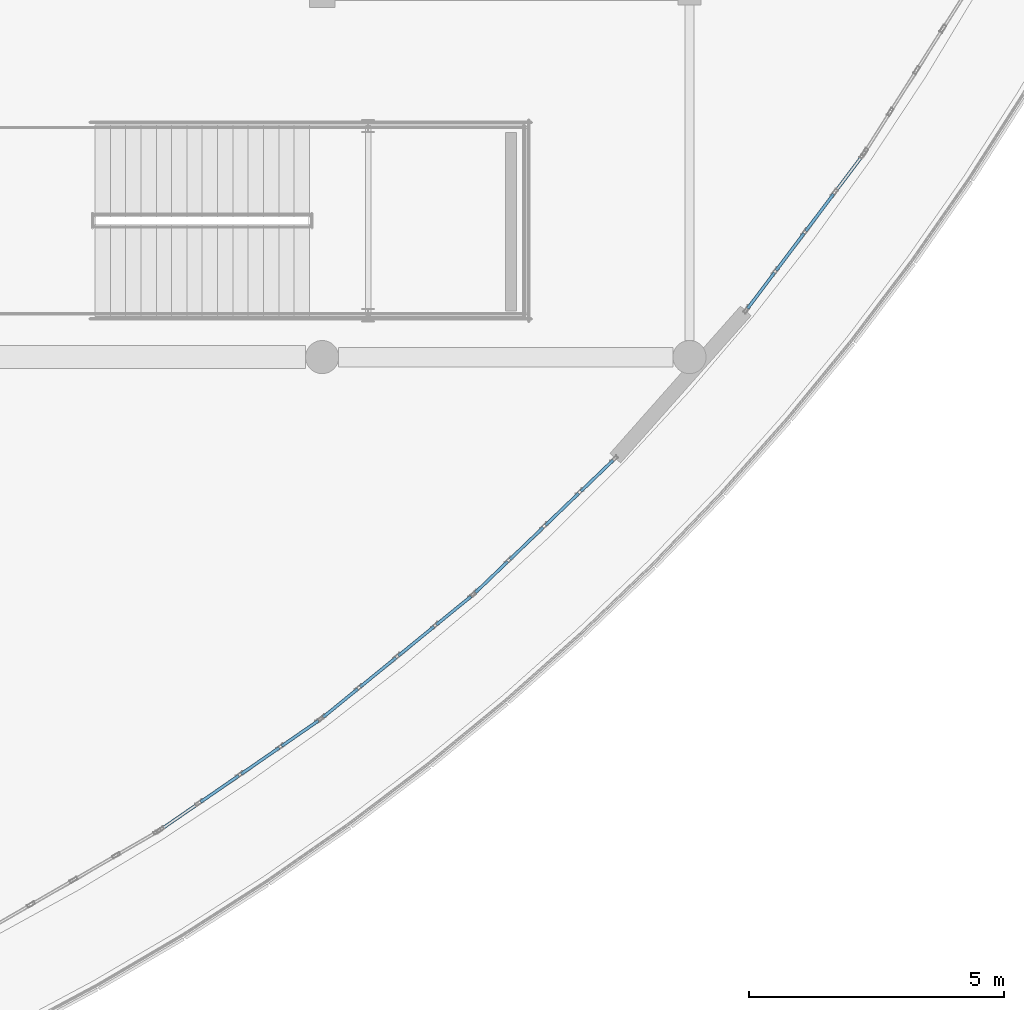
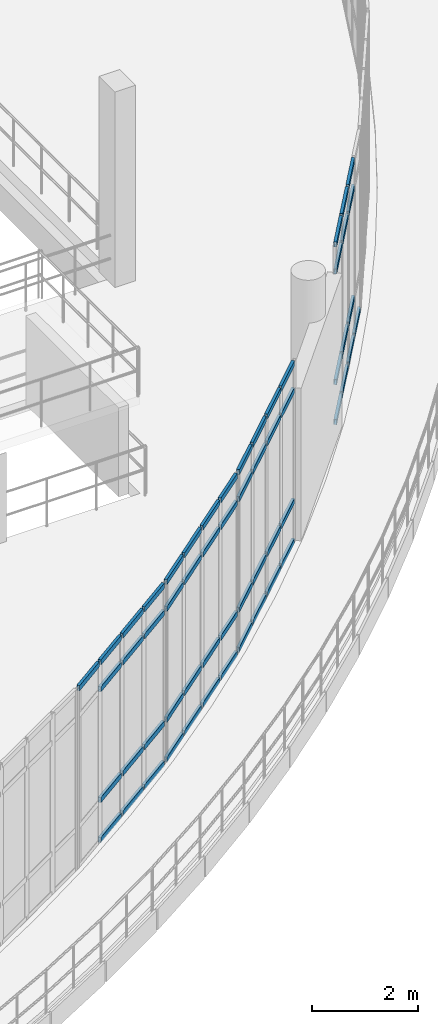
# One storey, part 84 of 124: 58 members, 4 elements without a shape of their own.
"""IFC4 building model written with IfcOpenShell, lengths in metres."""

from ifc_helpers import new_model, si_unit, direction, frame, origin, origin_2d, place, context, subcontext, project, spatial, hollow_rectangle, extrude, material, material_profile, profile_set, type_object, element, aggregate, save


model = new_model("IFC4")

# Units and contexts
model_context = context("Model", 3, precision=1e-05, world=origin(), true_north=direction((0.0, 1.0)))
body_context = subcontext(model_context, "Body", "Model", "MODEL_VIEW")
ifc_project = project(units=[si_unit("LENGTHUNIT", "METRE"), si_unit("AREAUNIT", "SQUARE_METRE"), si_unit("VOLUMEUNIT", "CUBIC_METRE"), si_unit("PLANEANGLEUNIT", "RADIAN"), si_unit("MASSUNIT", "GRAM", prefix="KILO")], contexts=[model_context])

# Site, building, storey
site_placement = place(None, origin())
site = spatial("IfcSite", under=ifc_project, at=site_placement, CompositionType="ELEMENT")
building_placement = place(site_placement, origin())
building = spatial("IfcBuilding", under=site, at=building_placement, Name="Kalluvel Institute of Natural Sciences", CompositionType="ELEMENT")
storey_placement = place(building_placement, frame((0.0, 0.0, 9.89990234375)))
storey = spatial("IfcBuildingStorey", under=building, at=storey_placement, Name="L02", CompositionType="ELEMENT", Elevation=9.89990234375)

# Curtain wall, members
ifc_material = material(Name="Aluminium AW-6063 T6", Category="aluminium")
curtain_wall_type = type_object("IfcCurtainWallType", Name="CW-ATR-ARC", PredefinedType="USERDEFINED", material=ifc_material)
curtain_wall_1_placement = place(storey_placement, origin())
curtain_wall_1 = element("IfcCurtainWall", 1, at=curtain_wall_1_placement, inside=storey, type_object=curtain_wall_type, Name="L02 Gothic lancet curtain wall CWA-L02-X612-Y623", ObjectType="UNITISED LANCET FACADE", PredefinedType="USERDEFINED")
ifc_material_profile = material_profile(ifc_material, hollow_rectangle(XDim=0.06005859375, YDim=0.1201171875, WallThickness=0.00390625, at=origin_2d()), Name="CWT 60x120")
ifc_profile_set = profile_set([ifc_material_profile], Name="Aluminium AW-6063 T6")
member_type = type_object("IfcMemberType", Name="CWT-60x120", PredefinedType="USERDEFINED", material=ifc_profile_set)
member_1_placement = place(storey_placement, frame((61.250244140625, 62.349365234375, 4.1201171875), z_axis=(0.822965264865, 0.56809169403, 0.0), x_axis=(-0.56809169403, 0.822965264865, 0.0)))
member_1 = element("IfcMember", 2, at=member_1_placement, type_object=member_type, Name="CW-05 transom 1.4", ObjectType="TRANSOM", PredefinedType="USERDEFINED", context=body_context, shape_type="SweptSolid", body=[
    extrude(hollow_rectangle(XDim=0.06005859375, YDim=0.1201171875, WallThickness=0.00390625, at=origin_2d()), origin(), (0.0, 0.0, 1.0), 0.87451171875),
])
member_2_placement = place(storey_placement, frame((62.019287109375, 62.88037109375, 0.030029296875), z_axis=(0.823056139811, 0.567960025635, 0.0), x_axis=(-0.567960025635, 0.823056139811, 0.0)))
member_2 = element("IfcMember", 3, at=member_2_placement, type_object=member_type, Name="CW-05 transom 2.1", ObjectType="TRANSOM", PredefinedType="USERDEFINED", context=body_context, shape_type="SweptSolid", body=[
    extrude(hollow_rectangle(XDim=0.06005859375, YDim=0.1201171875, WallThickness=0.00390625, at=origin_2d()), origin(), (0.0, 0.0, 1.0), 0.904296875),
])
member_3_placement = place(storey_placement, frame((62.019287109375, 62.88037109375, 0.9501953125), z_axis=(0.823056139811, 0.567960025635, 0.0), x_axis=(-0.567960025635, 0.823056139811, 0.0)))
member_3 = element("IfcMember", 4, at=member_3_placement, type_object=member_type, Name="CW-05 transom 2.2", ObjectType="TRANSOM", PredefinedType="USERDEFINED", context=body_context, shape_type="SweptSolid", body=[
    extrude(hollow_rectangle(XDim=0.06005859375, YDim=0.1201171875, WallThickness=0.00390625, at=origin_2d()), origin(), (0.0, 0.0, 1.0), 0.904296875),
])
member_4_placement = place(storey_placement, frame((62.019287109375, 62.88037109375, 3.5), z_axis=(0.823056139811, 0.567960025635, 0.0), x_axis=(-0.567960025635, 0.823056139811, 0.0)))
member_4 = element("IfcMember", 5, at=member_4_placement, type_object=member_type, Name="CW-05 transom 2.3", ObjectType="TRANSOM", PredefinedType="USERDEFINED", context=body_context, shape_type="SweptSolid", body=[
    extrude(hollow_rectangle(XDim=0.06005859375, YDim=0.1201171875, WallThickness=0.00390625, at=origin_2d()), origin(), (0.0, 0.0, 1.0), 0.904296875),
])
member_5_placement = place(storey_placement, frame((62.019287109375, 62.88037109375, 4.1201171875), z_axis=(0.823056139811, 0.567960025635, 0.0), x_axis=(-0.567960025635, 0.823056139811, 0.0)))
member_5 = element("IfcMember", 6, at=member_5_placement, type_object=member_type, Name="CW-05 transom 2.4", ObjectType="TRANSOM", PredefinedType="USERDEFINED", context=body_context, shape_type="SweptSolid", body=[
    extrude(hollow_rectangle(XDim=0.06005859375, YDim=0.1201171875, WallThickness=0.00390625, at=origin_2d()), origin(), (0.0, 0.0, 1.0), 0.904296875),
])
member_6_placement = place(storey_placement, frame((62.81298828125, 63.427978515625, 0.030029296875), z_axis=(0.822842800931, 0.568269060354, 0.0), x_axis=(-0.568269060354, 0.822842800931, 0.0)))
member_6 = element("IfcMember", 7, at=member_6_placement, type_object=member_type, Name="CW-05 transom 3.1", ObjectType="TRANSOM", PredefinedType="USERDEFINED", context=body_context, shape_type="SweptSolid", body=[
    extrude(hollow_rectangle(XDim=0.06005859375, YDim=0.1201171875, WallThickness=0.00390625, at=origin_2d()), origin(), (0.0, 0.0, 1.0), 0.904296875),
])
member_7_placement = place(storey_placement, frame((62.81298828125, 63.427978515625, 0.9501953125), z_axis=(0.822842800931, 0.568269060354, 0.0), x_axis=(-0.568269060354, 0.822842800931, 0.0)))
member_7 = element("IfcMember", 8, at=member_7_placement, type_object=member_type, Name="CW-05 transom 3.2", ObjectType="TRANSOM", PredefinedType="USERDEFINED", context=body_context, shape_type="SweptSolid", body=[
    extrude(hollow_rectangle(XDim=0.06005859375, YDim=0.1201171875, WallThickness=0.00390625, at=origin_2d()), origin(), (0.0, 0.0, 1.0), 0.904296875),
])
member_8_placement = place(storey_placement, frame((62.81298828125, 63.427978515625, 3.5), z_axis=(0.822842800931, 0.568269060354, 0.0), x_axis=(-0.568269060354, 0.822842800931, 0.0)))
member_8 = element("IfcMember", 9, at=member_8_placement, type_object=member_type, Name="CW-05 transom 3.3", ObjectType="TRANSOM", PredefinedType="USERDEFINED", context=body_context, shape_type="SweptSolid", body=[
    extrude(hollow_rectangle(XDim=0.06005859375, YDim=0.1201171875, WallThickness=0.00390625, at=origin_2d()), origin(), (0.0, 0.0, 1.0), 0.904296875),
])
member_9_placement = place(storey_placement, frame((62.81298828125, 63.427978515625, 4.1201171875), z_axis=(0.822842800931, 0.568269060354, 0.0), x_axis=(-0.568269060354, 0.822842800931, 0.0)))
member_9 = element("IfcMember", 10, at=member_9_placement, type_object=member_type, Name="CW-05 transom 3.4", ObjectType="TRANSOM", PredefinedType="USERDEFINED", context=body_context, shape_type="SweptSolid", body=[
    extrude(hollow_rectangle(XDim=0.06005859375, YDim=0.1201171875, WallThickness=0.00390625, at=origin_2d()), origin(), (0.0, 0.0, 1.0), 0.904296875),
])
member_10_placement = place(storey_placement, frame((63.606689453125, 63.975830078125, 0.030029296875), z_axis=(0.822875140839, 0.568222229932, 0.0), x_axis=(-0.568222229932, 0.822875140839, 0.0)))
member_10 = element("IfcMember", 11, at=member_10_placement, type_object=member_type, Name="CW-05 transom 4.1", ObjectType="TRANSOM", PredefinedType="USERDEFINED", context=body_context, shape_type="SweptSolid", body=[
    extrude(hollow_rectangle(XDim=0.06005859375, YDim=0.1201171875, WallThickness=0.00390625, at=origin_2d()), origin(), (0.0, 0.0, 1.0), 0.874267578125),
])
member_11_placement = place(storey_placement, frame((63.606689453125, 63.975830078125, 0.9501953125), z_axis=(0.822875140839, 0.568222229932, 0.0), x_axis=(-0.568222229932, 0.822875140839, 0.0)))
member_11 = element("IfcMember", 12, at=member_11_placement, type_object=member_type, Name="CW-05 transom 4.2", ObjectType="TRANSOM", PredefinedType="USERDEFINED", context=body_context, shape_type="SweptSolid", body=[
    extrude(hollow_rectangle(XDim=0.06005859375, YDim=0.1201171875, WallThickness=0.00390625, at=origin_2d()), origin(), (0.0, 0.0, 1.0), 0.874267578125),
])
member_12_placement = place(storey_placement, frame((63.606689453125, 63.975830078125, 3.5), z_axis=(0.822875140839, 0.568222229932, 0.0), x_axis=(-0.568222229932, 0.822875140839, 0.0)))
member_12 = element("IfcMember", 13, at=member_12_placement, type_object=member_type, Name="CW-05 transom 4.3", ObjectType="TRANSOM", PredefinedType="USERDEFINED", context=body_context, shape_type="SweptSolid", body=[
    extrude(hollow_rectangle(XDim=0.06005859375, YDim=0.1201171875, WallThickness=0.00390625, at=origin_2d()), origin(), (0.0, 0.0, 1.0), 0.874267578125),
])
member_13_placement = place(storey_placement, frame((63.606689453125, 63.975830078125, 4.1201171875), z_axis=(0.822875140839, 0.568222229932, 0.0), x_axis=(-0.568222229932, 0.822875140839, 0.0)))
member_13 = element("IfcMember", 14, at=member_13_placement, type_object=member_type, Name="CW-05 transom 4.4", ObjectType="TRANSOM", PredefinedType="USERDEFINED", context=body_context, shape_type="SweptSolid", body=[
    extrude(hollow_rectangle(XDim=0.06005859375, YDim=0.1201171875, WallThickness=0.00390625, at=origin_2d()), origin(), (0.0, 0.0, 1.0), 0.874267578125),
])
aggregate(curtain_wall_1, [member_1, member_2, member_3, member_4, member_5, member_6, member_7, member_8, member_9, member_10, member_11, member_12, member_13])

curtain_wall_2_placement = place(storey_placement, origin())
curtain_wall_2 = element("IfcCurtainWall", 15, at=curtain_wall_2_placement, inside=storey, type_object=curtain_wall_type, Name="L02 Gothic lancet curtain wall CWA-L02-X644-Y645", ObjectType="UNITISED LANCET FACADE", PredefinedType="USERDEFINED")
member_14_placement = place(storey_placement, frame((64.422119140625, 64.544677734375, 0.030029296875), z_axis=(0.774591404707, 0.63246197969, 0.0), x_axis=(-0.63246197969, 0.774591404707, 0.0)))
member_14 = element("IfcMember", 16, at=member_14_placement, type_object=member_type, Name="CW-05 transom 1.1", ObjectType="TRANSOM", PredefinedType="USERDEFINED", context=body_context, shape_type="SweptSolid", body=[
    extrude(hollow_rectangle(XDim=0.06005859375, YDim=0.1201171875, WallThickness=0.00390625, at=origin_2d()), origin(), (0.0, 0.0, 1.0), 0.874267578125),
])
member_15_placement = place(storey_placement, frame((64.422119140625, 64.544677734375, 0.9501953125), z_axis=(0.774591404707, 0.63246197969, 0.0), x_axis=(-0.63246197969, 0.774591404707, 0.0)))
member_15 = element("IfcMember", 17, at=member_15_placement, type_object=member_type, Name="CW-05 transom 1.2", ObjectType="TRANSOM", PredefinedType="USERDEFINED", context=body_context, shape_type="SweptSolid", body=[
    extrude(hollow_rectangle(XDim=0.06005859375, YDim=0.1201171875, WallThickness=0.00390625, at=origin_2d()), origin(), (0.0, 0.0, 1.0), 0.874267578125),
])
member_16_placement = place(storey_placement, frame((64.422119140625, 64.544677734375, 3.5), z_axis=(0.774591404707, 0.63246197969, 0.0), x_axis=(-0.63246197969, 0.774591404707, 0.0)))
member_16 = element("IfcMember", 18, at=member_16_placement, type_object=member_type, Name="CW-05 transom 1.3", ObjectType="TRANSOM", PredefinedType="USERDEFINED", context=body_context, shape_type="SweptSolid", body=[
    extrude(hollow_rectangle(XDim=0.06005859375, YDim=0.1201171875, WallThickness=0.00390625, at=origin_2d()), origin(), (0.0, 0.0, 1.0), 0.874267578125),
])
member_17_placement = place(storey_placement, frame((64.422119140625, 64.544677734375, 4.1201171875), z_axis=(0.774591404707, 0.63246197969, 0.0), x_axis=(-0.63246197969, 0.774591404707, 0.0)))
member_17 = element("IfcMember", 19, at=member_17_placement, type_object=member_type, Name="CW-05 transom 1.4", ObjectType="TRANSOM", PredefinedType="USERDEFINED", context=body_context, shape_type="SweptSolid", body=[
    extrude(hollow_rectangle(XDim=0.06005859375, YDim=0.1201171875, WallThickness=0.00390625, at=origin_2d()), origin(), (0.0, 0.0, 1.0), 0.874267578125),
])
member_18_placement = place(storey_placement, frame((65.145751953125, 65.135498046875, 0.030029296875), z_axis=(0.774642310804, 0.632399628646, 0.0), x_axis=(-0.632399628646, 0.774642310804, 0.0)))
member_18 = element("IfcMember", 20, at=member_18_placement, type_object=member_type, Name="CW-05 transom 2.1", ObjectType="TRANSOM", PredefinedType="USERDEFINED", context=body_context, shape_type="SweptSolid", body=[
    extrude(hollow_rectangle(XDim=0.06005859375, YDim=0.1201171875, WallThickness=0.00390625, at=origin_2d()), origin(), (0.0, 0.0, 1.0), 0.904541015625),
])
member_19_placement = place(storey_placement, frame((65.145751953125, 65.135498046875, 0.9501953125), z_axis=(0.774642310804, 0.632399628646, 0.0), x_axis=(-0.632399628646, 0.774642310804, 0.0)))
member_19 = element("IfcMember", 21, at=member_19_placement, type_object=member_type, Name="CW-05 transom 2.2", ObjectType="TRANSOM", PredefinedType="USERDEFINED", context=body_context, shape_type="SweptSolid", body=[
    extrude(hollow_rectangle(XDim=0.06005859375, YDim=0.1201171875, WallThickness=0.00390625, at=origin_2d()), origin(), (0.0, 0.0, 1.0), 0.904541015625),
])
member_20_placement = place(storey_placement, frame((65.145751953125, 65.135498046875, 3.5), z_axis=(0.774642310804, 0.632399628646, 0.0), x_axis=(-0.632399628646, 0.774642310804, 0.0)))
member_20 = element("IfcMember", 22, at=member_20_placement, type_object=member_type, Name="CW-05 transom 2.3", ObjectType="TRANSOM", PredefinedType="USERDEFINED", context=body_context, shape_type="SweptSolid", body=[
    extrude(hollow_rectangle(XDim=0.06005859375, YDim=0.1201171875, WallThickness=0.00390625, at=origin_2d()), origin(), (0.0, 0.0, 1.0), 0.904541015625),
])
member_21_placement = place(storey_placement, frame((65.145751953125, 65.135498046875, 4.1201171875), z_axis=(0.774642310804, 0.632399628646, 0.0), x_axis=(-0.632399628646, 0.774642310804, 0.0)))
member_21 = element("IfcMember", 23, at=member_21_placement, type_object=member_type, Name="CW-05 transom 2.4", ObjectType="TRANSOM", PredefinedType="USERDEFINED", context=body_context, shape_type="SweptSolid", body=[
    extrude(hollow_rectangle(XDim=0.06005859375, YDim=0.1201171875, WallThickness=0.00390625, at=origin_2d()), origin(), (0.0, 0.0, 1.0), 0.904541015625),
])
member_22_placement = place(storey_placement, frame((65.892822265625, 65.745361328125, 0.030029296875), z_axis=(0.774534331942, 0.632531871642, 0.0), x_axis=(-0.632531871642, 0.774534331942, 0.0)))
member_22 = element("IfcMember", 24, at=member_22_placement, type_object=member_type, Name="CW-05 transom 3.1", ObjectType="TRANSOM", PredefinedType="USERDEFINED", context=body_context, shape_type="SweptSolid", body=[
    extrude(hollow_rectangle(XDim=0.06005859375, YDim=0.1201171875, WallThickness=0.00390625, at=origin_2d()), origin(), (0.0, 0.0, 1.0), 0.904296875),
])
member_23_placement = place(storey_placement, frame((65.892822265625, 65.745361328125, 0.9501953125), z_axis=(0.774534331942, 0.632531871642, 0.0), x_axis=(-0.632531871642, 0.774534331942, 0.0)))
member_23 = element("IfcMember", 25, at=member_23_placement, type_object=member_type, Name="CW-05 transom 3.2", ObjectType="TRANSOM", PredefinedType="USERDEFINED", context=body_context, shape_type="SweptSolid", body=[
    extrude(hollow_rectangle(XDim=0.06005859375, YDim=0.1201171875, WallThickness=0.00390625, at=origin_2d()), origin(), (0.0, 0.0, 1.0), 0.904296875),
])
member_24_placement = place(storey_placement, frame((65.892822265625, 65.745361328125, 3.5), z_axis=(0.774534331942, 0.632531871642, 0.0), x_axis=(-0.632531871642, 0.774534331942, 0.0)))
member_24 = element("IfcMember", 26, at=member_24_placement, type_object=member_type, Name="CW-05 transom 3.3", ObjectType="TRANSOM", PredefinedType="USERDEFINED", context=body_context, shape_type="SweptSolid", body=[
    extrude(hollow_rectangle(XDim=0.06005859375, YDim=0.1201171875, WallThickness=0.00390625, at=origin_2d()), origin(), (0.0, 0.0, 1.0), 0.904296875),
])
member_25_placement = place(storey_placement, frame((65.892822265625, 65.745361328125, 4.1201171875), z_axis=(0.774534331942, 0.632531871642, 0.0), x_axis=(-0.632531871642, 0.774534331942, 0.0)))
member_25 = element("IfcMember", 27, at=member_25_placement, type_object=member_type, Name="CW-05 transom 3.4", ObjectType="TRANSOM", PredefinedType="USERDEFINED", context=body_context, shape_type="SweptSolid", body=[
    extrude(hollow_rectangle(XDim=0.06005859375, YDim=0.1201171875, WallThickness=0.00390625, at=origin_2d()), origin(), (0.0, 0.0, 1.0), 0.904296875),
])
member_26_placement = place(storey_placement, frame((66.639892578125, 66.35546875, 0.030029296875), z_axis=(0.774591404707, 0.63246197969, 0.0), x_axis=(-0.63246197969, 0.774591404707, 0.0)))
member_26 = element("IfcMember", 28, at=member_26_placement, type_object=member_type, Name="CW-05 transom 4.1", ObjectType="TRANSOM", PredefinedType="USERDEFINED", context=body_context, shape_type="SweptSolid", body=[
    extrude(hollow_rectangle(XDim=0.06005859375, YDim=0.1201171875, WallThickness=0.00390625, at=origin_2d()), origin(), (0.0, 0.0, 1.0), 0.874267578125),
])
member_27_placement = place(storey_placement, frame((66.639892578125, 66.35546875, 0.9501953125), z_axis=(0.774591404707, 0.63246197969, 0.0), x_axis=(-0.63246197969, 0.774591404707, 0.0)))
member_27 = element("IfcMember", 29, at=member_27_placement, type_object=member_type, Name="CW-05 transom 4.2", ObjectType="TRANSOM", PredefinedType="USERDEFINED", context=body_context, shape_type="SweptSolid", body=[
    extrude(hollow_rectangle(XDim=0.06005859375, YDim=0.1201171875, WallThickness=0.00390625, at=origin_2d()), origin(), (0.0, 0.0, 1.0), 0.874267578125),
])
member_28_placement = place(storey_placement, frame((66.639892578125, 66.35546875, 3.5), z_axis=(0.774591404707, 0.63246197969, 0.0), x_axis=(-0.63246197969, 0.774591404707, 0.0)))
member_28 = element("IfcMember", 30, at=member_28_placement, type_object=member_type, Name="CW-05 transom 4.3", ObjectType="TRANSOM", PredefinedType="USERDEFINED", context=body_context, shape_type="SweptSolid", body=[
    extrude(hollow_rectangle(XDim=0.06005859375, YDim=0.1201171875, WallThickness=0.00390625, at=origin_2d()), origin(), (0.0, 0.0, 1.0), 0.874267578125),
])
member_29_placement = place(storey_placement, frame((66.639892578125, 66.35546875, 4.1201171875), z_axis=(0.774591404707, 0.63246197969, 0.0), x_axis=(-0.63246197969, 0.774591404707, 0.0)))
member_29 = element("IfcMember", 31, at=member_29_placement, type_object=member_type, Name="CW-05 transom 4.4", ObjectType="TRANSOM", PredefinedType="USERDEFINED", context=body_context, shape_type="SweptSolid", body=[
    extrude(hollow_rectangle(XDim=0.06005859375, YDim=0.1201171875, WallThickness=0.00390625, at=origin_2d()), origin(), (0.0, 0.0, 1.0), 0.874267578125),
])
aggregate(curtain_wall_2, [member_14, member_15, member_16, member_17, member_18, member_19, member_20, member_21, member_22, member_23, member_24, member_25, member_26, member_27, member_28, member_29])

curtain_wall_3_placement = place(storey_placement, origin())
curtain_wall_3 = element("IfcCurtainWall", 32, at=curtain_wall_3_placement, inside=storey, type_object=curtain_wall_type, Name="L02 Gothic lancet curtain wall CWA-L02-X674-Y669", ObjectType="UNITISED LANCET FACADE", PredefinedType="USERDEFINED")
member_30_placement = place(storey_placement, frame((67.406982421875, 66.98779296875, 0.030029296875), z_axis=(0.721069144861, 0.692863109373, 0.0), x_axis=(-0.692863109373, 0.721069144861, 0.0)))
member_30 = element("IfcMember", 33, at=member_30_placement, type_object=member_type, Name="CW-05 transom 1.1", ObjectType="TRANSOM", PredefinedType="USERDEFINED", context=body_context, shape_type="SweptSolid", body=[
    extrude(hollow_rectangle(XDim=0.06005859375, YDim=0.1201171875, WallThickness=0.00390625, at=origin_2d()), origin(), (0.0, 0.0, 1.0), 0.874267578125),
])
member_31_placement = place(storey_placement, frame((67.406982421875, 66.98779296875, 0.9501953125), z_axis=(0.721069144861, 0.692863109373, 0.0), x_axis=(-0.692863109373, 0.721069144861, 0.0)))
member_31 = element("IfcMember", 34, at=member_31_placement, type_object=member_type, Name="CW-05 transom 1.2", ObjectType="TRANSOM", PredefinedType="USERDEFINED", context=body_context, shape_type="SweptSolid", body=[
    extrude(hollow_rectangle(XDim=0.06005859375, YDim=0.1201171875, WallThickness=0.00390625, at=origin_2d()), origin(), (0.0, 0.0, 1.0), 0.874267578125),
])
member_32_placement = place(storey_placement, frame((67.406982421875, 66.98779296875, 3.5), z_axis=(0.721069144861, 0.692863109373, 0.0), x_axis=(-0.692863109373, 0.721069144861, 0.0)))
member_32 = element("IfcMember", 35, at=member_32_placement, type_object=member_type, Name="CW-05 transom 1.3", ObjectType="TRANSOM", PredefinedType="USERDEFINED", context=body_context, shape_type="SweptSolid", body=[
    extrude(hollow_rectangle(XDim=0.06005859375, YDim=0.1201171875, WallThickness=0.00390625, at=origin_2d()), origin(), (0.0, 0.0, 1.0), 0.874267578125),
])
member_33_placement = place(storey_placement, frame((67.406982421875, 66.98779296875, 4.1201171875), z_axis=(0.721069144861, 0.692863109373, 0.0), x_axis=(-0.692863109373, 0.721069144861, 0.0)))
member_33 = element("IfcMember", 36, at=member_33_placement, type_object=member_type, Name="CW-05 transom 1.4", ObjectType="TRANSOM", PredefinedType="USERDEFINED", context=body_context, shape_type="SweptSolid", body=[
    extrude(hollow_rectangle(XDim=0.06005859375, YDim=0.1201171875, WallThickness=0.00390625, at=origin_2d()), origin(), (0.0, 0.0, 1.0), 0.874267578125),
])
member_34_placement = place(storey_placement, frame((68.080810546875, 67.63525390625, 0.030029296875), z_axis=(0.721139092172, 0.692790307193, 0.0), x_axis=(-0.692790307193, 0.721139092172, 0.0)))
member_34 = element("IfcMember", 37, at=member_34_placement, type_object=member_type, Name="CW-05 transom 2.1", ObjectType="TRANSOM", PredefinedType="USERDEFINED", context=body_context, shape_type="SweptSolid", body=[
    extrude(hollow_rectangle(XDim=0.06005859375, YDim=0.1201171875, WallThickness=0.00390625, at=origin_2d()), origin(), (0.0, 0.0, 1.0), 0.904296875),
])
member_35_placement = place(storey_placement, frame((68.080810546875, 67.63525390625, 0.9501953125), z_axis=(0.721139092172, 0.692790307193, 0.0), x_axis=(-0.692790307193, 0.721139092172, 0.0)))
member_35 = element("IfcMember", 38, at=member_35_placement, type_object=member_type, Name="CW-05 transom 2.2", ObjectType="TRANSOM", PredefinedType="USERDEFINED", context=body_context, shape_type="SweptSolid", body=[
    extrude(hollow_rectangle(XDim=0.06005859375, YDim=0.1201171875, WallThickness=0.00390625, at=origin_2d()), origin(), (0.0, 0.0, 1.0), 0.904296875),
])
member_36_placement = place(storey_placement, frame((68.080810546875, 67.63525390625, 3.5), z_axis=(0.721139092172, 0.692790307193, 0.0), x_axis=(-0.692790307193, 0.721139092172, 0.0)))
member_36 = element("IfcMember", 39, at=member_36_placement, type_object=member_type, Name="CW-05 transom 2.3", ObjectType="TRANSOM", PredefinedType="USERDEFINED", context=body_context, shape_type="SweptSolid", body=[
    extrude(hollow_rectangle(XDim=0.06005859375, YDim=0.1201171875, WallThickness=0.00390625, at=origin_2d()), origin(), (0.0, 0.0, 1.0), 0.904296875),
])
member_37_placement = place(storey_placement, frame((68.080810546875, 67.63525390625, 4.1201171875), z_axis=(0.721139092172, 0.692790307193, 0.0), x_axis=(-0.692790307193, 0.721139092172, 0.0)))
member_37 = element("IfcMember", 40, at=member_37_placement, type_object=member_type, Name="CW-05 transom 2.4", ObjectType="TRANSOM", PredefinedType="USERDEFINED", context=body_context, shape_type="SweptSolid", body=[
    extrude(hollow_rectangle(XDim=0.06005859375, YDim=0.1201171875, WallThickness=0.00390625, at=origin_2d()), origin(), (0.0, 0.0, 1.0), 0.904296875),
])
member_38_placement = place(storey_placement, frame((68.776123046875, 68.30322265625, 0.030029296875), z_axis=(0.721268637552, 0.692655435613, 0.0), x_axis=(-0.692655435613, 0.721268637552, 0.0)))
member_38 = element("IfcMember", 41, at=member_38_placement, type_object=member_type, Name="CW-05 transom 3.1", ObjectType="TRANSOM", PredefinedType="USERDEFINED", context=body_context, shape_type="SweptSolid", body=[
    extrude(hollow_rectangle(XDim=0.06005859375, YDim=0.1201171875, WallThickness=0.00390625, at=origin_2d()), origin(), (0.0, 0.0, 1.0), 0.904541015625),
])
member_39_placement = place(storey_placement, frame((68.776123046875, 68.30322265625, 0.9501953125), z_axis=(0.721268637552, 0.692655435613, 0.0), x_axis=(-0.692655435613, 0.721268637552, 0.0)))
member_39 = element("IfcMember", 42, at=member_39_placement, type_object=member_type, Name="CW-05 transom 3.2", ObjectType="TRANSOM", PredefinedType="USERDEFINED", context=body_context, shape_type="SweptSolid", body=[
    extrude(hollow_rectangle(XDim=0.06005859375, YDim=0.1201171875, WallThickness=0.00390625, at=origin_2d()), origin(), (0.0, 0.0, 1.0), 0.904541015625),
])
member_40_placement = place(storey_placement, frame((68.776123046875, 68.30322265625, 3.5), z_axis=(0.721268637552, 0.692655435613, 0.0), x_axis=(-0.692655435613, 0.721268637552, 0.0)))
member_40 = element("IfcMember", 43, at=member_40_placement, type_object=member_type, Name="CW-05 transom 3.3", ObjectType="TRANSOM", PredefinedType="USERDEFINED", context=body_context, shape_type="SweptSolid", body=[
    extrude(hollow_rectangle(XDim=0.06005859375, YDim=0.1201171875, WallThickness=0.00390625, at=origin_2d()), origin(), (0.0, 0.0, 1.0), 0.904541015625),
])
member_41_placement = place(storey_placement, frame((68.776123046875, 68.30322265625, 4.1201171875), z_axis=(0.721268637552, 0.692655435613, 0.0), x_axis=(-0.692655435613, 0.721268637552, 0.0)))
member_41 = element("IfcMember", 44, at=member_41_placement, type_object=member_type, Name="CW-05 transom 3.4", ObjectType="TRANSOM", PredefinedType="USERDEFINED", context=body_context, shape_type="SweptSolid", body=[
    extrude(hollow_rectangle(XDim=0.06005859375, YDim=0.1201171875, WallThickness=0.00390625, at=origin_2d()), origin(), (0.0, 0.0, 1.0), 0.904541015625),
])
member_42_placement = place(storey_placement, frame((69.4716796875, 68.97119140625, 0.030029296875), z_axis=(0.721203169417, 0.692723601751, 0.0), x_axis=(-0.692723601751, 0.721203169417, 0.0)))
member_42 = element("IfcMember", 45, at=member_42_placement, type_object=member_type, Name="CW-05 transom 4.1", ObjectType="TRANSOM", PredefinedType="USERDEFINED", context=body_context, shape_type="SweptSolid", body=[
    extrude(hollow_rectangle(XDim=0.06005859375, YDim=0.1201171875, WallThickness=0.00390625, at=origin_2d()), origin(), (0.0, 0.0, 1.0), 0.87451171875),
])
member_43_placement = place(storey_placement, frame((69.4716796875, 68.97119140625, 0.9501953125), z_axis=(0.721203169417, 0.692723601751, 0.0), x_axis=(-0.692723601751, 0.721203169417, 0.0)))
member_43 = element("IfcMember", 46, at=member_43_placement, type_object=member_type, Name="CW-05 transom 4.2", ObjectType="TRANSOM", PredefinedType="USERDEFINED", context=body_context, shape_type="SweptSolid", body=[
    extrude(hollow_rectangle(XDim=0.06005859375, YDim=0.1201171875, WallThickness=0.00390625, at=origin_2d()), origin(), (0.0, 0.0, 1.0), 0.87451171875),
])
member_44_placement = place(storey_placement, frame((69.4716796875, 68.97119140625, 3.5), z_axis=(0.721203169417, 0.692723601751, 0.0), x_axis=(-0.692723601751, 0.721203169417, 0.0)))
member_44 = element("IfcMember", 47, at=member_44_placement, type_object=member_type, Name="CW-05 transom 4.3", ObjectType="TRANSOM", PredefinedType="USERDEFINED", context=body_context, shape_type="SweptSolid", body=[
    extrude(hollow_rectangle(XDim=0.06005859375, YDim=0.1201171875, WallThickness=0.00390625, at=origin_2d()), origin(), (0.0, 0.0, 1.0), 0.87451171875),
])
member_45_placement = place(storey_placement, frame((69.4716796875, 68.97119140625, 4.1201171875), z_axis=(0.721203169417, 0.692723601751, 0.0), x_axis=(-0.692723601751, 0.721203169417, 0.0)))
member_45 = element("IfcMember", 48, at=member_45_placement, type_object=member_type, Name="CW-05 transom 4.4", ObjectType="TRANSOM", PredefinedType="USERDEFINED", context=body_context, shape_type="SweptSolid", body=[
    extrude(hollow_rectangle(XDim=0.06005859375, YDim=0.1201171875, WallThickness=0.00390625, at=origin_2d()), origin(), (0.0, 0.0, 1.0), 0.87451171875),
])
aggregate(curtain_wall_3, [member_30, member_31, member_32, member_33, member_34, member_35, member_36, member_37, member_38, member_39, member_40, member_41, member_42, member_43, member_44, member_45])

curtain_wall_4_placement = place(storey_placement, origin())
curtain_wall_4 = element("IfcCurtainWall", 49, at=curtain_wall_4_placement, inside=storey, type_object=curtain_wall_type, Name="L02 Gothic lancet curtain wall CWA-L02-X727-Y725", ObjectType="UNITISED LANCET FACADE", PredefinedType="USERDEFINED")
member_46_placement = place(storey_placement, frame((72.73974609375, 72.553955078125, 0.030029296875), z_axis=(0.600669993069, 0.799497066553, 0.0), x_axis=(-0.799497066553, 0.600669993069, 0.0)))
member_46 = element("IfcMember", 50, at=member_46_placement, type_object=member_type, Name="CW-05 transom 1.1", ObjectType="TRANSOM", PredefinedType="USERDEFINED", context=body_context, shape_type="SweptSolid", body=[
    extrude(hollow_rectangle(XDim=0.06005859375, YDim=0.1201171875, WallThickness=0.00390625, at=origin_2d()), origin(), (0.0, 0.0, 1.0), 0.874267578125),
])
member_47_placement = place(storey_placement, frame((72.73974609375, 72.553955078125, 0.9501953125), z_axis=(0.600669993069, 0.799497066553, 0.0), x_axis=(-0.799497066553, 0.600669993069, 0.0)))
member_47 = element("IfcMember", 51, at=member_47_placement, type_object=member_type, Name="CW-05 transom 1.2", ObjectType="TRANSOM", PredefinedType="USERDEFINED", context=body_context, shape_type="SweptSolid", body=[
    extrude(hollow_rectangle(XDim=0.06005859375, YDim=0.1201171875, WallThickness=0.00390625, at=origin_2d()), origin(), (0.0, 0.0, 1.0), 0.874267578125),
])
member_48_placement = place(storey_placement, frame((72.73974609375, 72.553955078125, 3.5), z_axis=(0.600669993069, 0.799497066553, 0.0), x_axis=(-0.799497066553, 0.600669993069, 0.0)))
member_48 = element("IfcMember", 52, at=member_48_placement, type_object=member_type, Name="CW-05 transom 1.3", ObjectType="TRANSOM", PredefinedType="USERDEFINED", context=body_context, shape_type="SweptSolid", body=[
    extrude(hollow_rectangle(XDim=0.06005859375, YDim=0.1201171875, WallThickness=0.00390625, at=origin_2d()), origin(), (0.0, 0.0, 1.0), 0.874267578125),
])
member_49_placement = place(storey_placement, frame((72.73974609375, 72.553955078125, 4.1201171875), z_axis=(0.600669993069, 0.799497066553, 0.0), x_axis=(-0.799497066553, 0.600669993069, 0.0)))
member_49 = element("IfcMember", 53, at=member_49_placement, type_object=member_type, Name="CW-05 transom 1.4", ObjectType="TRANSOM", PredefinedType="USERDEFINED", context=body_context, shape_type="SweptSolid", body=[
    extrude(hollow_rectangle(XDim=0.06005859375, YDim=0.1201171875, WallThickness=0.00390625, at=origin_2d()), origin(), (0.0, 0.0, 1.0), 0.874267578125),
])
member_50_placement = place(storey_placement, frame((73.301025390625, 73.30078125, 0.030029296875), z_axis=(0.600604482123, 0.79954628137, 0.0), x_axis=(-0.79954628137, 0.600604482123, 0.0)))
member_50 = element("IfcMember", 54, at=member_50_placement, type_object=member_type, Name="CW-05 transom 2.1", ObjectType="TRANSOM", PredefinedType="USERDEFINED", context=body_context, shape_type="SweptSolid", body=[
    extrude(hollow_rectangle(XDim=0.06005859375, YDim=0.1201171875, WallThickness=0.00390625, at=origin_2d()), origin(), (0.0, 0.0, 1.0), 0.904541015625),
])
member_51_placement = place(storey_placement, frame((73.301025390625, 73.30078125, 0.9501953125), z_axis=(0.600604482123, 0.79954628137, 0.0), x_axis=(-0.79954628137, 0.600604482123, 0.0)))
member_51 = element("IfcMember", 55, at=member_51_placement, type_object=member_type, Name="CW-05 transom 2.2", ObjectType="TRANSOM", PredefinedType="USERDEFINED", context=body_context, shape_type="SweptSolid", body=[
    extrude(hollow_rectangle(XDim=0.06005859375, YDim=0.1201171875, WallThickness=0.00390625, at=origin_2d()), origin(), (0.0, 0.0, 1.0), 0.904541015625),
])
member_52_placement = place(storey_placement, frame((73.301025390625, 73.30078125, 3.5), z_axis=(0.600604482123, 0.79954628137, 0.0), x_axis=(-0.79954628137, 0.600604482123, 0.0)))
member_52 = element("IfcMember", 56, at=member_52_placement, type_object=member_type, Name="CW-05 transom 2.3", ObjectType="TRANSOM", PredefinedType="USERDEFINED", context=body_context, shape_type="SweptSolid", body=[
    extrude(hollow_rectangle(XDim=0.06005859375, YDim=0.1201171875, WallThickness=0.00390625, at=origin_2d()), origin(), (0.0, 0.0, 1.0), 0.904541015625),
])
member_53_placement = place(storey_placement, frame((73.301025390625, 73.30078125, 4.1201171875), z_axis=(0.600604482123, 0.79954628137, 0.0), x_axis=(-0.79954628137, 0.600604482123, 0.0)))
member_53 = element("IfcMember", 57, at=member_53_placement, type_object=member_type, Name="CW-05 transom 2.4", ObjectType="TRANSOM", PredefinedType="USERDEFINED", context=body_context, shape_type="SweptSolid", body=[
    extrude(hollow_rectangle(XDim=0.06005859375, YDim=0.1201171875, WallThickness=0.00390625, at=origin_2d()), origin(), (0.0, 0.0, 1.0), 0.904541015625),
])
member_54_placement = place(storey_placement, frame((73.88037109375, 74.07177734375, 0.030029296875), z_axis=(0.600734127793, 0.799448877481, 0.0), x_axis=(-0.799448877481, 0.600734127793, 0.0)))
member_54 = element("IfcMember", 58, at=member_54_placement, type_object=member_type, Name="CW-05 transom 3.1", ObjectType="TRANSOM", PredefinedType="USERDEFINED", context=body_context, shape_type="SweptSolid", body=[
    extrude(hollow_rectangle(XDim=0.06005859375, YDim=0.1201171875, WallThickness=0.00390625, at=origin_2d()), origin(), (0.0, 0.0, 1.0), 0.904296875),
])
member_55_placement = place(storey_placement, frame((73.88037109375, 74.07177734375, 0.9501953125), z_axis=(0.600734127793, 0.799448877481, 0.0), x_axis=(-0.799448877481, 0.600734127793, 0.0)))
member_55 = element("IfcMember", 59, at=member_55_placement, type_object=member_type, Name="CW-05 transom 3.2", ObjectType="TRANSOM", PredefinedType="USERDEFINED", context=body_context, shape_type="SweptSolid", body=[
    extrude(hollow_rectangle(XDim=0.06005859375, YDim=0.1201171875, WallThickness=0.00390625, at=origin_2d()), origin(), (0.0, 0.0, 1.0), 0.904296875),
])
member_56_placement = place(storey_placement, frame((73.88037109375, 74.07177734375, 3.5), z_axis=(0.600734127793, 0.799448877481, 0.0), x_axis=(-0.799448877481, 0.600734127793, 0.0)))
member_56 = element("IfcMember", 60, at=member_56_placement, type_object=member_type, Name="CW-05 transom 3.3", ObjectType="TRANSOM", PredefinedType="USERDEFINED", context=body_context, shape_type="SweptSolid", body=[
    extrude(hollow_rectangle(XDim=0.06005859375, YDim=0.1201171875, WallThickness=0.00390625, at=origin_2d()), origin(), (0.0, 0.0, 1.0), 0.904296875),
])
member_57_placement = place(storey_placement, frame((73.88037109375, 74.07177734375, 4.1201171875), z_axis=(0.600734127793, 0.799448877481, 0.0), x_axis=(-0.799448877481, 0.600734127793, 0.0)))
member_57 = element("IfcMember", 61, at=member_57_placement, type_object=member_type, Name="CW-05 transom 3.4", ObjectType="TRANSOM", PredefinedType="USERDEFINED", context=body_context, shape_type="SweptSolid", body=[
    extrude(hollow_rectangle(XDim=0.06005859375, YDim=0.1201171875, WallThickness=0.00390625, at=origin_2d()), origin(), (0.0, 0.0, 1.0), 0.904296875),
])
member_58_placement = place(storey_placement, frame((74.459716796875, 74.8427734375, 0.030029296875), z_axis=(0.600669993069, 0.799497066553, 0.0), x_axis=(-0.799497066553, 0.600669993069, 0.0)))
member_58 = element("IfcMember", 62, at=member_58_placement, type_object=member_type, Name="CW-05 transom 4.1", ObjectType="TRANSOM", PredefinedType="USERDEFINED", context=body_context, shape_type="SweptSolid", body=[
    extrude(hollow_rectangle(XDim=0.06005859375, YDim=0.1201171875, WallThickness=0.00390625, at=origin_2d()), origin(), (0.0, 0.0, 1.0), 0.874267578125),
])
aggregate(curtain_wall_4, [member_46, member_47, member_48, member_49, member_50, member_51, member_52, member_53, member_54, member_55, member_56, member_57, member_58])

save(model, "model.ifc")
